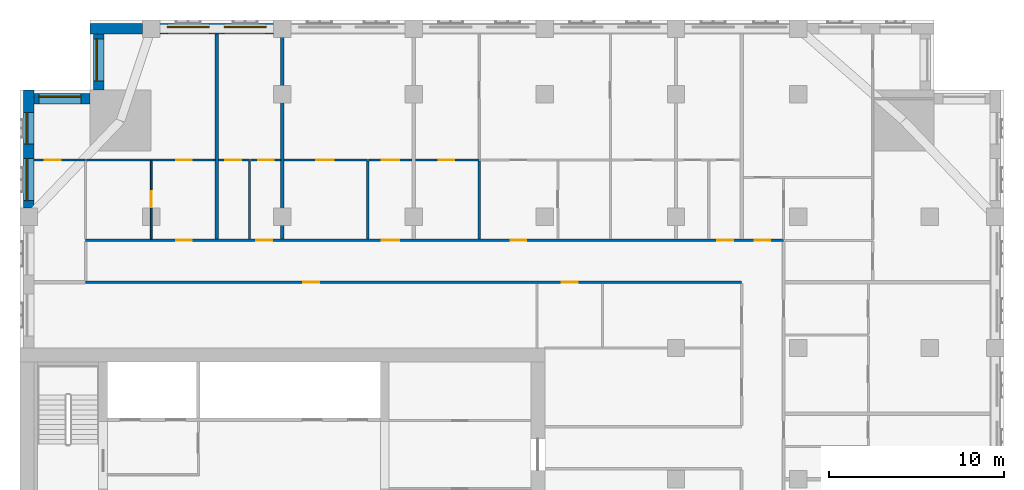
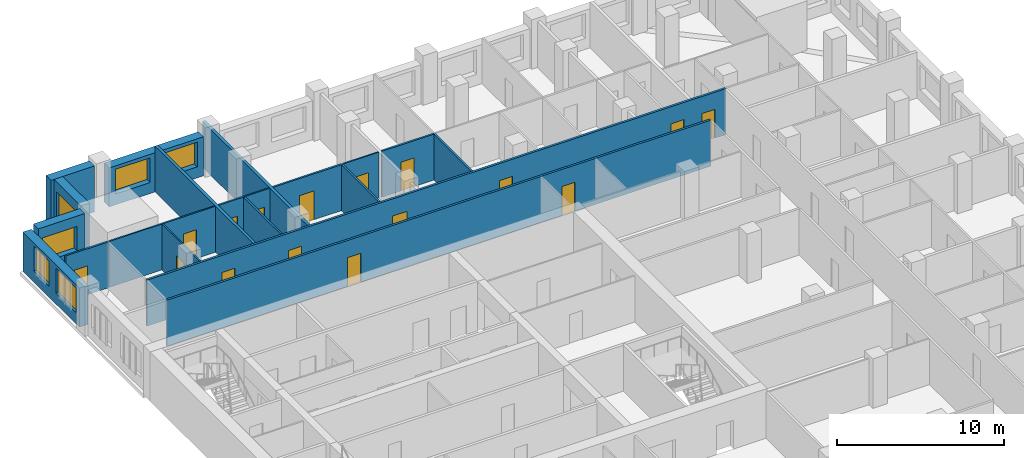
# One storey, part 9 of 14: 20 walls, 16 doors, 6 windows, 22 openings.
"""IFC4 building model written with IfcOpenShell, lengths in metres."""

from ifc_helpers import new_model, si_unit, direction, frame, frame_2d, origin, place, context, subcontext, project, spatial, rectangle, extrude, material, layer, layer_set, type_object, element, fill, save


model = new_model("IFC4")

# Units and contexts
model_context = context("Model", 3, precision=1e-05, world=origin(), true_north=direction((0.0, 1.0)))
body_context = subcontext(model_context, "Body", "Model", "MODEL_VIEW")
ifc_project = project(units=[si_unit("LENGTHUNIT", "METRE"), si_unit("AREAUNIT", "SQUARE_METRE"), si_unit("VOLUMEUNIT", "CUBIC_METRE"), si_unit("PLANEANGLEUNIT", "RADIAN"), si_unit("MASSUNIT", "GRAM", prefix="KILO")], contexts=[model_context])

# Site, building, storey
site_placement = place(None, origin())
site = spatial("IfcSite", under=ifc_project, at=site_placement, CompositionType="ELEMENT")
building_placement = place(site_placement, origin())
building = spatial("IfcBuilding", under=site, at=building_placement, Name="Tamorin Gate", CompositionType="ELEMENT")
storey_placement = place(building_placement, frame((0.0, 0.0, 155.39990234375)))
storey = spatial("IfcBuildingStorey", under=building, at=storey_placement, Name="L38", CompositionType="ELEMENT", Elevation=155.39990234375)

# Wall, openings, windows
ifc_material_1 = material(Name="Precast concrete C40/50", Category="concrete")
ifc_layer_1 = layer(ifc_material_1, 0.60009765625)
ifc_layer_set_1 = layer_set([ifc_layer_1], Name="Precast concrete C40/50")
wall_type_1 = type_object("IfcWallType", Name="Board-marked concrete facade panel 600", PredefinedType="SOLIDWALL", material=ifc_layer_set_1)
wall_1_placement = place(storey_placement, frame((44.5, 100.75, 0.0), z_axis=(0.0, 0.0, 1.0), x_axis=(-1.0, 0.0, 0.0)))
wall_1 = element("IfcWall", 1, at=wall_1_placement, inside=storey, type_object=wall_type_1, Name="Facade panel", PredefinedType="SOLIDWALL", context=body_context, shape_type="SweptSolid", body=[
    extrude(rectangle(XDim=6.5, YDim=0.60009765625, at=frame_2d((3.25, 0.0))), origin(), (0.0, 0.0, 1.0), 2.85009765625),
])
opening_1_placement = place(wall_1_placement, frame((3.675048828125, 0.0, 0.800048828125)))
opening_1 = element("IfcOpeningElement", 2, at=opening_1_placement, cuts=wall_1, Name="Opening WN1", PredefinedType="OPENING", context=body_context, shape_type="SweptSolid", body=[
    extrude(rectangle(XDim=2.39990234375, YDim=1.800048828125, at=frame_2d((1.199951171875, 0.89990234375))), frame((0.0, 0.31005859375, 0.0), z_axis=(0.0, -1.0, 0.0), x_axis=(1.0, 0.0, 0.0)), (0.0, 0.0, 1.0), 0.6201171875),
])
opening_2_placement = place(wall_1_placement, frame((0.425048828125, 0.0, 0.800048828125)))
opening_2 = element("IfcOpeningElement", 3, at=opening_2_placement, cuts=wall_1, Name="Opening WN1", PredefinedType="OPENING", context=body_context, shape_type="SweptSolid", body=[
    extrude(rectangle(XDim=2.39990234375, YDim=1.800048828125, at=frame_2d((1.199951171875, 0.89990234375))), frame((0.0, 0.31005859375, 0.0), z_axis=(0.0, -1.0, 0.0), x_axis=(1.0, 0.0, 0.0)), (0.0, 0.0, 1.0), 0.6201171875),
])
ifc_material_2 = material(Name="Clear glass in aluminium frame", Category="aluminium")
window_type_1 = type_object("IfcWindowType", Name="Deep-set window 2400x1800", PartitioningType="SINGLE_PANEL", PredefinedType="WINDOW", material=ifc_material_2)
window_1_placement = place(opening_1_placement, origin())
window_1 = element("IfcWindow", 4, at=window_1_placement, inside=storey, type_object=window_type_1, Name="Deep-set window", OverallHeight=1.800048828125, OverallWidth=2.39990234375, PartitioningType="SINGLE_PANEL", PredefinedType="WINDOW", context=body_context, shape_type="SweptSolid", body=[
    extrude(rectangle(XDim=2.39990234375, YDim=1.800048828125, at=frame_2d((1.199951171875, 0.89990234375))), frame((0.0, -0.070068359375, 0.0), z_axis=(0.0, -1.0, 0.0), x_axis=(1.0, 0.0, 0.0)), (0.0, 0.0, 1.0), 0.06005859375),
])
fill(opening_1, window_1)
window_2_placement = place(opening_2_placement, origin())
window_2 = element("IfcWindow", 5, at=window_2_placement, inside=storey, type_object=window_type_1, Name="Deep-set window", OverallHeight=1.800048828125, OverallWidth=2.39990234375, PartitioningType="SINGLE_PANEL", PredefinedType="WINDOW", context=body_context, shape_type="SweptSolid", body=[
    extrude(rectangle(XDim=2.39990234375, YDim=1.800048828125, at=frame_2d((1.199951171875, 0.89990234375))), frame((0.0, -0.070068359375, 0.0), z_axis=(0.0, -1.0, 0.0), x_axis=(1.0, 0.0, 0.0)), (0.0, 0.0, 1.0), 0.06005859375),
])
fill(opening_2, window_2)

# Wall
wall_2_placement = place(storey_placement, frame((37.0, 100.75, 0.0), z_axis=(0.0, 0.0, 1.0), x_axis=(-1.0, 0.0, 0.0)))
element("IfcWall", 6, at=wall_2_placement, inside=storey, type_object=wall_type_1, Name="Facade panel", PredefinedType="SOLIDWALL", context=body_context, shape_type="SweptSolid", body=[
    extrude(rectangle(XDim=3.0, YDim=0.60009765625, at=frame_2d((1.5, 0.0))), origin(), (0.0, 0.0, 1.0), 3.35009765625),
])

# Wall, opening, window
wall_3_placement = place(storey_placement, frame((34.5, 100.449951171875, 0.0), z_axis=(0.0, 0.0, 1.0), x_axis=(0.0, -1.0, 0.0)))
wall_3 = element("IfcWall", 7, at=wall_3_placement, inside=storey, type_object=wall_type_1, Name="Facade panel", PredefinedType="SOLIDWALL", context=body_context, shape_type="SweptSolid", body=[
    extrude(rectangle(XDim=3.199951171875, YDim=0.60009765625, at=frame_2d((1.60009765625, 0.0))), origin(), (0.0, 0.0, 1.0), 3.35009765625),
])
opening_3_placement = place(wall_3_placement, frame((0.27490234375, 0.0, 0.800048828125)))
opening_3 = element("IfcOpeningElement", 8, at=opening_3_placement, cuts=wall_3, Name="Opening WN1", PredefinedType="OPENING", context=body_context, shape_type="SweptSolid", body=[
    extrude(rectangle(XDim=2.39990234375, YDim=1.800048828125, at=frame_2d((1.199951171875, 0.89990234375))), frame((0.0, 0.31005859375, 0.0), z_axis=(0.0, -1.0, 0.0), x_axis=(1.0, 0.0, 0.0)), (0.0, 0.0, 1.0), 0.6201171875),
])
window_3_placement = place(opening_3_placement, origin())
window_3 = element("IfcWindow", 9, at=window_3_placement, inside=storey, type_object=window_type_1, Name="Deep-set window", OverallHeight=1.800048828125, OverallWidth=2.39990234375, PartitioningType="SINGLE_PANEL", PredefinedType="WINDOW", context=body_context, shape_type="SweptSolid", body=[
    extrude(rectangle(XDim=2.39990234375, YDim=1.800048828125, at=frame_2d((1.199951171875, 0.89990234375))), frame((0.0, -0.070068359375, 0.0), z_axis=(0.0, -1.0, 0.0), x_axis=(1.0, 0.0, 0.0)), (0.0, 0.0, 1.0), 0.06005859375),
])
fill(opening_3, window_3)

wall_4_placement = place(storey_placement, frame((34.0, 96.75, 0.0), z_axis=(0.0, 0.0, 1.0), x_axis=(-1.0, 0.0, 0.0)))
wall_4 = element("IfcWall", 10, at=wall_4_placement, inside=storey, type_object=wall_type_1, Name="Facade panel", PredefinedType="SOLIDWALL", context=body_context, shape_type="SweptSolid", body=[
    extrude(rectangle(XDim=3.199951171875, YDim=0.60009765625, at=frame_2d((1.60009765625, 0.0))), origin(), (0.0, 0.0, 1.0), 3.35009765625),
])
opening_4_placement = place(wall_4_placement, frame((0.52490234375, 0.0, 0.800048828125)))
opening_4 = element("IfcOpeningElement", 11, at=opening_4_placement, cuts=wall_4, Name="Opening WN1", PredefinedType="OPENING", context=body_context, shape_type="SweptSolid", body=[
    extrude(rectangle(XDim=2.39990234375, YDim=1.800048828125, at=frame_2d((1.199951171875, 0.89990234375))), frame((0.0, 0.31005859375, 0.0), z_axis=(0.0, -1.0, 0.0), x_axis=(1.0, 0.0, 0.0)), (0.0, 0.0, 1.0), 0.6201171875),
])
window_4_placement = place(opening_4_placement, origin())
window_4 = element("IfcWindow", 12, at=window_4_placement, inside=storey, type_object=window_type_1, Name="Deep-set window", OverallHeight=1.800048828125, OverallWidth=2.39990234375, PartitioningType="SINGLE_PANEL", PredefinedType="WINDOW", context=body_context, shape_type="SweptSolid", body=[
    extrude(rectangle(XDim=2.39990234375, YDim=1.800048828125, at=frame_2d((1.199951171875, 0.89990234375))), frame((0.0, -0.070068359375, 0.0), z_axis=(0.0, -1.0, 0.0), x_axis=(1.0, 0.0, 0.0)), (0.0, 0.0, 1.0), 0.06005859375),
])
fill(opening_4, window_4)

# Wall, openings, windows
wall_5_placement = place(storey_placement, frame((30.5, 97.25, 0.0), z_axis=(0.0, 0.0, 1.0), x_axis=(0.0, -1.0, 0.0)))
wall_5 = element("IfcWall", 13, at=wall_5_placement, inside=storey, type_object=wall_type_1, Name="Facade panel", PredefinedType="SOLIDWALL", context=body_context, shape_type="SweptSolid", body=[
    extrude(rectangle(XDim=6.75, YDim=0.60009765625, at=frame_2d((3.375, 0.0))), origin(), (0.0, 0.0, 1.0), 2.85009765625),
])
opening_5_placement = place(wall_5_placement, frame((3.925048828125, 0.0, 0.800048828125)))
opening_5 = element("IfcOpeningElement", 14, at=opening_5_placement, cuts=wall_5, Name="Opening WN1", PredefinedType="OPENING", context=body_context, shape_type="SweptSolid", body=[
    extrude(rectangle(XDim=2.39990234375, YDim=1.800048828125, at=frame_2d((1.199951171875, 0.89990234375))), frame((0.0, 0.31005859375, 0.0), z_axis=(0.0, -1.0, 0.0), x_axis=(1.0, 0.0, 0.0)), (0.0, 0.0, 1.0), 0.6201171875),
])
opening_6_placement = place(wall_5_placement, frame((1.300048828125, 0.0, 0.800048828125)))
opening_6 = element("IfcOpeningElement", 15, at=opening_6_placement, cuts=wall_5, Name="Opening WN2", PredefinedType="OPENING", context=body_context, shape_type="SweptSolid", body=[
    extrude(rectangle(XDim=1.800048828125, YDim=1.800048828125, at=frame_2d((0.89990234375, 0.89990234375))), frame((0.0, 0.31005859375, 0.0), z_axis=(0.0, -1.0, 0.0), x_axis=(1.0, 0.0, 0.0)), (0.0, 0.0, 1.0), 0.6201171875),
])
window_type_2 = type_object("IfcWindowType", Name="Deep-set window 1800x1800", PartitioningType="SINGLE_PANEL", PredefinedType="WINDOW", material=ifc_material_2)
window_5_placement = place(opening_6_placement, origin())
window_5 = element("IfcWindow", 16, at=window_5_placement, inside=storey, type_object=window_type_2, Name="Deep-set window", OverallHeight=1.800048828125, OverallWidth=1.800048828125, PartitioningType="SINGLE_PANEL", PredefinedType="WINDOW", context=body_context, shape_type="SweptSolid", body=[
    extrude(rectangle(XDim=1.800048828125, YDim=1.800048828125, at=frame_2d((0.89990234375, 0.89990234375))), frame((0.0, -0.070068359375, 0.0), z_axis=(0.0, -1.0, 0.0), x_axis=(1.0, 0.0, 0.0)), (0.0, 0.0, 1.0), 0.06005859375),
])
fill(opening_6, window_5)
window_6_placement = place(opening_5_placement, origin())
window_6 = element("IfcWindow", 17, at=window_6_placement, inside=storey, type_object=window_type_1, Name="Deep-set window", OverallHeight=1.800048828125, OverallWidth=2.39990234375, PartitioningType="SINGLE_PANEL", PredefinedType="WINDOW", context=body_context, shape_type="SweptSolid", body=[
    extrude(rectangle(XDim=2.39990234375, YDim=1.800048828125, at=frame_2d((1.199951171875, 0.89990234375))), frame((0.0, -0.070068359375, 0.0), z_axis=(0.0, -1.0, 0.0), x_axis=(1.0, 0.0, 0.0)), (0.0, 0.0, 1.0), 0.06005859375),
])
fill(opening_5, window_6)

# Wall, openings, doors
ifc_material_3 = material(Name="Gypsum board partition")
ifc_layer_2 = layer(ifc_material_3, 0.14990234375)
ifc_layer_set_2 = layer_set([ifc_layer_2], Name="Corridor wall 150")
wall_type_2 = type_object("IfcWallType", Name="Corridor wall 150", PredefinedType="PARTITIONING", material=ifc_layer_set_2)
wall_6_placement = place(storey_placement, frame((33.75, 86.25, 0.0), z_axis=(0.0, 0.0, 1.0), x_axis=(1.0, 0.0, 0.0)))
wall_6 = element("IfcWall", 18, at=wall_6_placement, inside=storey, type_object=wall_type_2, Name="Corridor wall 150", PredefinedType="PARTITIONING", context=body_context, shape_type="SweptSolid", body=[
    extrude(rectangle(XDim=37.5, YDim=0.14990234375, at=frame_2d((18.75, 0.0))), origin(), (0.0, 0.0, 1.0), 3.35009765625),
])
opening_7_placement = place(wall_6_placement, frame((12.449951171875, 0.0, 0.0)))
opening_7 = element("IfcOpeningElement", 19, at=opening_7_placement, cuts=wall_6, Name="Opening DS4075", PredefinedType="OPENING", context=body_context, shape_type="SweptSolid", body=[
    extrude(rectangle(XDim=0.89990234375, YDim=2.10009765625, at=frame_2d((0.449951171875, 1.050048828125))), frame((0.0, 0.0849609375, 0.0), z_axis=(0.0, -1.0, 0.0), x_axis=(1.0, 0.0, 0.0)), (0.0, 0.0, 1.0), 0.169921875),
])
opening_8_placement = place(wall_6_placement, frame((27.22509765625, 0.0, 0.0)))
opening_8 = element("IfcOpeningElement", 20, at=opening_8_placement, cuts=wall_6, Name="Opening DS4076", PredefinedType="OPENING", context=body_context, shape_type="SweptSolid", body=[
    extrude(rectangle(XDim=0.89990234375, YDim=2.10009765625, at=frame_2d((0.449951171875, 1.050048828125))), frame((0.0, 0.0849609375, 0.0), z_axis=(0.0, -1.0, 0.0), x_axis=(1.0, 0.0, 0.0)), (0.0, 0.0, 1.0), 0.169921875),
])
ifc_material_4 = material(Name="Timber door leaf", Category="wood")
door_type_1 = type_object("IfcDoorType", Name="Door 900 x 2100 FD30S", OperationType="NOTDEFINED", PredefinedType="DOOR", material=ifc_material_4)
door_1_placement = place(opening_7_placement, origin())
door_1 = element("IfcDoor", 21, at=door_1_placement, inside=storey, type_object=door_type_1, Name="Door DS4075", OperationType="SINGLE_SWING_RIGHT", OverallHeight=2.10009765625, OverallWidth=0.89990234375, PredefinedType="DOOR", context=body_context, shape_type="SweptSolid", body=[
    extrude(rectangle(XDim=0.89990234375, YDim=2.10009765625, at=frame_2d((0.449951171875, 1.050048828125))), frame((0.0, 0.02490234375, 0.0), z_axis=(0.0, -1.0, 0.0), x_axis=(1.0, 0.0, 0.0)), (0.0, 0.0, 1.0), 0.050048828125),
])
fill(opening_7, door_1)
door_2_placement = place(opening_8_placement, origin())
door_2 = element("IfcDoor", 22, at=door_2_placement, inside=storey, type_object=door_type_1, Name="Door DS4076", OperationType="SINGLE_SWING_RIGHT", OverallHeight=2.10009765625, OverallWidth=0.89990234375, PredefinedType="DOOR", context=body_context, shape_type="SweptSolid", body=[
    extrude(rectangle(XDim=0.89990234375, YDim=2.10009765625, at=frame_2d((0.449951171875, 1.050048828125))), frame((0.0, 0.02490234375, 0.0), z_axis=(0.0, -1.0, 0.0), x_axis=(1.0, 0.0, 0.0)), (0.0, 0.0, 1.0), 0.050048828125),
])
fill(opening_8, door_2)

wall_7_placement = place(storey_placement, frame((33.75, 88.64990234375, 0.0), z_axis=(0.0, 0.0, 1.0), x_axis=(1.0, 0.0, 0.0)))
wall_7 = element("IfcWall", 23, at=wall_7_placement, inside=storey, type_object=wall_type_2, Name="Corridor wall 150", PredefinedType="PARTITIONING", context=body_context, shape_type="SweptSolid", body=[
    extrude(rectangle(XDim=39.89990234375, YDim=0.14990234375, at=frame_2d((19.949951171875, 0.0))), origin(), (0.0, 0.0, 1.0), 3.35009765625),
])
opening_9_placement = place(wall_7_placement, frame((5.175048828125, 0.0, 0.0)))
opening_9 = element("IfcOpeningElement", 24, at=opening_9_placement, cuts=wall_7, Name="Opening DS4025", PredefinedType="OPENING", context=body_context, shape_type="SweptSolid", body=[
    extrude(rectangle(XDim=0.89990234375, YDim=2.10009765625, at=frame_2d((0.449951171875, 1.050048828125))), frame((0.0, 0.0849609375, 0.0), z_axis=(0.0, -1.0, 0.0), x_axis=(1.0, 0.0, 0.0)), (0.0, 0.0, 1.0), 0.169921875),
])
opening_10_placement = place(wall_7_placement, frame((9.762451171875, 0.0, 0.0)))
opening_10 = element("IfcOpeningElement", 25, at=opening_10_placement, cuts=wall_7, Name="Opening DS4028", PredefinedType="OPENING", context=body_context, shape_type="SweptSolid", body=[
    extrude(rectangle(XDim=0.89990234375, YDim=2.10009765625, at=frame_2d((0.449951171875, 1.050048828125))), frame((0.0, 0.0849609375, 0.0), z_axis=(0.0, -1.0, 0.0), x_axis=(1.0, 0.0, 0.0)), (0.0, 0.0, 1.0), 0.169921875),
])
opening_11_placement = place(wall_7_placement, frame((16.9375, 0.0, 0.0)))
opening_11 = element("IfcOpeningElement", 26, at=opening_11_placement, cuts=wall_7, Name="Opening DS4031", PredefinedType="OPENING", context=body_context, shape_type="SweptSolid", body=[
    extrude(rectangle(XDim=1.0, YDim=2.10009765625, at=frame_2d((0.5, 1.050048828125))), frame((0.0, 0.0849609375, 0.0), z_axis=(0.0, -1.0, 0.0), x_axis=(1.0, 0.0, 0.0)), (0.0, 0.0, 1.0), 0.169921875),
])
opening_12_placement = place(wall_7_placement, frame((24.300048828125, 0.0, 0.0)))
opening_12 = element("IfcOpeningElement", 27, at=opening_12_placement, cuts=wall_7, Name="Opening DS4034", PredefinedType="OPENING", context=body_context, shape_type="SweptSolid", body=[
    extrude(rectangle(XDim=0.89990234375, YDim=2.10009765625, at=frame_2d((0.449951171875, 1.050048828125))), frame((0.0, 0.0849609375, 0.0), z_axis=(0.0, -1.0, 0.0), x_axis=(1.0, 0.0, 0.0)), (0.0, 0.0, 1.0), 0.169921875),
])
opening_13_placement = place(wall_7_placement, frame((36.112548828125, 0.0, 0.0)))
opening_13 = element("IfcOpeningElement", 28, at=opening_13_placement, cuts=wall_7, Name="Opening DS4041", PredefinedType="OPENING", context=body_context, shape_type="SweptSolid", body=[
    extrude(rectangle(XDim=0.89990234375, YDim=2.10009765625, at=frame_2d((0.449951171875, 1.050048828125))), frame((0.0, 0.0849609375, 0.0), z_axis=(0.0, -1.0, 0.0), x_axis=(1.0, 0.0, 0.0)), (0.0, 0.0, 1.0), 0.169921875),
])
opening_14_placement = place(wall_7_placement, frame((38.25, 0.0, 0.0)))
opening_14 = element("IfcOpeningElement", 29, at=opening_14_placement, cuts=wall_7, Name="Opening DS4065", PredefinedType="OPENING", context=body_context, shape_type="SweptSolid", body=[
    extrude(rectangle(XDim=0.89990234375, YDim=2.10009765625, at=frame_2d((0.449951171875, 1.050048828125))), frame((0.0, 0.0849609375, 0.0), z_axis=(0.0, -1.0, 0.0), x_axis=(1.0, 0.0, 0.0)), (0.0, 0.0, 1.0), 0.169921875),
])
door_type_2 = type_object("IfcDoorType", Name="Door 1000 x 2100 FD30S", OperationType="NOTDEFINED", PredefinedType="DOOR", material=ifc_material_4)
door_3_placement = place(opening_11_placement, origin())
door_3 = element("IfcDoor", 30, at=door_3_placement, inside=storey, type_object=door_type_2, Name="Door DS4031", OperationType="SINGLE_SWING_LEFT", OverallHeight=2.10009765625, OverallWidth=1.0, PredefinedType="DOOR", context=body_context, shape_type="SweptSolid", body=[
    extrude(rectangle(XDim=1.0, YDim=2.10009765625, at=frame_2d((0.5, 1.050048828125))), frame((0.0, 0.02490234375, 0.0), z_axis=(0.0, -1.0, 0.0), x_axis=(1.0, 0.0, 0.0)), (0.0, 0.0, 1.0), 0.050048828125),
])
fill(opening_11, door_3)
door_4_placement = place(opening_9_placement, origin())
door_4 = element("IfcDoor", 31, at=door_4_placement, inside=storey, type_object=door_type_1, Name="Door DS4025", OperationType="SINGLE_SWING_LEFT", OverallHeight=2.10009765625, OverallWidth=0.89990234375, PredefinedType="DOOR", context=body_context, shape_type="SweptSolid", body=[
    extrude(rectangle(XDim=0.89990234375, YDim=2.10009765625, at=frame_2d((0.449951171875, 1.050048828125))), frame((0.0, 0.02490234375, 0.0), z_axis=(0.0, -1.0, 0.0), x_axis=(1.0, 0.0, 0.0)), (0.0, 0.0, 1.0), 0.050048828125),
])
fill(opening_9, door_4)
door_5_placement = place(opening_10_placement, origin())
door_5 = element("IfcDoor", 32, at=door_5_placement, inside=storey, type_object=door_type_1, Name="Door DS4028", OperationType="SINGLE_SWING_LEFT", OverallHeight=2.10009765625, OverallWidth=0.89990234375, PredefinedType="DOOR", context=body_context, shape_type="SweptSolid", body=[
    extrude(rectangle(XDim=0.89990234375, YDim=2.10009765625, at=frame_2d((0.449951171875, 1.050048828125))), frame((0.0, 0.02490234375, 0.0), z_axis=(0.0, -1.0, 0.0), x_axis=(1.0, 0.0, 0.0)), (0.0, 0.0, 1.0), 0.050048828125),
])
fill(opening_10, door_5)
door_6_placement = place(opening_12_placement, origin())
door_6 = element("IfcDoor", 33, at=door_6_placement, inside=storey, type_object=door_type_1, Name="Door DS4034", OperationType="SINGLE_SWING_LEFT", OverallHeight=2.10009765625, OverallWidth=0.89990234375, PredefinedType="DOOR", context=body_context, shape_type="SweptSolid", body=[
    extrude(rectangle(XDim=0.89990234375, YDim=2.10009765625, at=frame_2d((0.449951171875, 1.050048828125))), frame((0.0, 0.02490234375, 0.0), z_axis=(0.0, -1.0, 0.0), x_axis=(1.0, 0.0, 0.0)), (0.0, 0.0, 1.0), 0.050048828125),
])
fill(opening_12, door_6)
door_7_placement = place(opening_13_placement, origin())
door_7 = element("IfcDoor", 34, at=door_7_placement, inside=storey, type_object=door_type_1, Name="Door DS4041", OperationType="SINGLE_SWING_LEFT", OverallHeight=2.10009765625, OverallWidth=0.89990234375, PredefinedType="DOOR", context=body_context, shape_type="SweptSolid", body=[
    extrude(rectangle(XDim=0.89990234375, YDim=2.10009765625, at=frame_2d((0.449951171875, 1.050048828125))), frame((0.0, 0.02490234375, 0.0), z_axis=(0.0, -1.0, 0.0), x_axis=(1.0, 0.0, 0.0)), (0.0, 0.0, 1.0), 0.050048828125),
])
fill(opening_13, door_7)
door_8_placement = place(opening_14_placement, origin())
door_8 = element("IfcDoor", 35, at=door_8_placement, inside=storey, type_object=door_type_1, Name="Door DS4065", OperationType="SINGLE_SWING_RIGHT", OverallHeight=2.10009765625, OverallWidth=0.89990234375, PredefinedType="DOOR", context=body_context, shape_type="SweptSolid", body=[
    extrude(rectangle(XDim=0.89990234375, YDim=2.10009765625, at=frame_2d((0.449951171875, 1.050048828125))), frame((0.0, 0.02490234375, 0.0), z_axis=(0.0, -1.0, 0.0), x_axis=(1.0, 0.0, 0.0)), (0.0, 0.0, 1.0), 0.050048828125),
])
fill(opening_14, door_8)

# Walls
ifc_layer_3 = layer(ifc_material_3, 0.199951171875)
ifc_layer_set_3 = layer_set([ifc_layer_3], Name="Demising wall 200")
wall_type_3 = type_object("IfcWallType", Name="Demising wall 200", PredefinedType="PARTITIONING", material=ifc_layer_set_3)
wall_8_placement = place(storey_placement, frame((41.25, 88.72509765625, 0.0), z_axis=(0.0, 0.0, 1.0), x_axis=(0.0, 1.0, 0.0)))
element("IfcWall", 36, at=wall_8_placement, inside=storey, type_object=wall_type_3, Name="Demising wall 200", PredefinedType="PARTITIONING", context=body_context, shape_type="SweptSolid", body=[
    extrude(rectangle(XDim=11.71484375, YDim=0.199951171875, at=frame_2d((5.857421875, 0.0))), origin(), (0.0, 0.0, 1.0), 3.35009765625),
])
wall_9_placement = place(storey_placement, frame((45.0, 88.72509765625, 0.0), z_axis=(0.0, 0.0, 1.0), x_axis=(0.0, 1.0, 0.0)))
element("IfcWall", 37, at=wall_9_placement, inside=storey, type_object=wall_type_3, Name="Demising wall 200", PredefinedType="PARTITIONING", context=body_context, shape_type="SweptSolid", body=[
    extrude(rectangle(XDim=12.52490234375, YDim=0.199951171875, at=frame_2d((6.262451171875, 0.0))), origin(), (0.0, 0.0, 1.0), 3.35009765625),
])

# Wall, opening, door
ifc_layer_4 = layer(ifc_material_3, 0.10009765625)
ifc_layer_set_4 = layer_set([ifc_layer_4], Name="Room partition 100")
wall_type_4 = type_object("IfcWallType", Name="Room partition 100", PredefinedType="PARTITIONING", material=ifc_layer_set_4)
wall_10_placement = place(storey_placement, frame((33.8125, 93.25, 0.0), z_axis=(0.0, 0.0, 1.0), x_axis=(1.0, 0.0, 0.0)))
wall_10 = element("IfcWall", 38, at=wall_10_placement, inside=storey, type_object=wall_type_4, Name="Room partition 100", PredefinedType="PARTITIONING", context=body_context, shape_type="SweptSolid", body=[
    extrude(rectangle(XDim=7.33740234375, YDim=0.10009765625, at=frame_2d((3.668701171875, 0.0))), origin(), (0.0, 0.0, 1.0), 3.35009765625),
])
opening_15_placement = place(wall_10_placement, frame((5.112548828125, 0.0, 0.0)))
opening_15 = element("IfcOpeningElement", 39, at=opening_15_placement, cuts=wall_10, Name="Opening DS4026", PredefinedType="OPENING", context=body_context, shape_type="SweptSolid", body=[
    extrude(rectangle(XDim=0.89990234375, YDim=2.10009765625, at=frame_2d((0.449951171875, 1.050048828125))), frame((0.0, 0.06005859375, 0.0), z_axis=(0.0, -1.0, 0.0), x_axis=(1.0, 0.0, 0.0)), (0.0, 0.0, 1.0), 0.1201171875),
])
door_type_3 = type_object("IfcDoorType", Name="Door 900 x 2100", OperationType="NOTDEFINED", PredefinedType="DOOR", material=ifc_material_4)
door_9_placement = place(opening_15_placement, origin())
door_9 = element("IfcDoor", 40, at=door_9_placement, inside=storey, type_object=door_type_3, Name="Door DS4026", OperationType="SINGLE_SWING_RIGHT", OverallHeight=2.10009765625, OverallWidth=0.89990234375, PredefinedType="DOOR", context=body_context, shape_type="SweptSolid", body=[
    extrude(rectangle(XDim=0.89990234375, YDim=2.10009765625, at=frame_2d((0.449951171875, 1.050048828125))), frame((0.0, 0.02490234375, 0.0), z_axis=(0.0, -1.0, 0.0), x_axis=(1.0, 0.0, 0.0)), (0.0, 0.0, 1.0), 0.050048828125),
])
fill(opening_15, door_9)

wall_11_placement = place(storey_placement, frame((43.1875, 93.25, 0.0), z_axis=(0.0, 0.0, 1.0), x_axis=(1.0, 0.0, 0.0)))
wall_11 = element("IfcWall", 41, at=wall_11_placement, inside=storey, type_object=wall_type_4, Name="Room partition 100", PredefinedType="PARTITIONING", context=body_context, shape_type="SweptSolid", body=[
    extrude(rectangle(XDim=1.71240234375, YDim=0.10009765625, at=frame_2d((0.856201171875, 0.0))), origin(), (0.0, 0.0, 1.0), 3.35009765625),
])
opening_16_placement = place(wall_11_placement, frame((0.425048828125, 0.0, 0.0)))
opening_16 = element("IfcOpeningElement", 42, at=opening_16_placement, cuts=wall_11, Name="Opening DS4029", PredefinedType="OPENING", context=body_context, shape_type="SweptSolid", body=[
    extrude(rectangle(XDim=0.89990234375, YDim=2.10009765625, at=frame_2d((0.449951171875, 1.050048828125))), frame((0.0, 0.06005859375, 0.0), z_axis=(0.0, -1.0, 0.0), x_axis=(1.0, 0.0, 0.0)), (0.0, 0.0, 1.0), 0.1201171875),
])
door_10_placement = place(opening_16_placement, origin())
door_10 = element("IfcDoor", 43, at=door_10_placement, inside=storey, type_object=door_type_3, Name="Door DS4029", OperationType="SINGLE_SWING_RIGHT", OverallHeight=2.10009765625, OverallWidth=0.89990234375, PredefinedType="DOOR", context=body_context, shape_type="SweptSolid", body=[
    extrude(rectangle(XDim=0.89990234375, YDim=2.10009765625, at=frame_2d((0.449951171875, 1.050048828125))), frame((0.0, 0.02490234375, 0.0), z_axis=(0.0, -1.0, 0.0), x_axis=(1.0, 0.0, 0.0)), (0.0, 0.0, 1.0), 0.050048828125),
])
fill(opening_16, door_10)

wall_12_placement = place(storey_placement, frame((49.9375, 93.25, 0.0), z_axis=(0.0, 0.0, 1.0), x_axis=(1.0, 0.0, 0.0)))
wall_12 = element("IfcWall", 44, at=wall_12_placement, inside=storey, type_object=wall_type_4, Name="Room partition 100", PredefinedType="PARTITIONING", context=body_context, shape_type="SweptSolid", body=[
    extrude(rectangle(XDim=2.46240234375, YDim=0.10009765625, at=frame_2d((1.231201171875, 0.0))), origin(), (0.0, 0.0, 1.0), 3.35009765625),
])
opening_17_placement = place(wall_12_placement, frame((0.75, 0.0, 0.0)))
opening_17 = element("IfcOpeningElement", 45, at=opening_17_placement, cuts=wall_12, Name="Opening DS4032", PredefinedType="OPENING", context=body_context, shape_type="SweptSolid", body=[
    extrude(rectangle(XDim=1.0, YDim=2.10009765625, at=frame_2d((0.5, 1.050048828125))), frame((0.0, 0.06005859375, 0.0), z_axis=(0.0, -1.0, 0.0), x_axis=(1.0, 0.0, 0.0)), (0.0, 0.0, 1.0), 0.1201171875),
])
door_type_4 = type_object("IfcDoorType", Name="Door 1000 x 2100", OperationType="NOTDEFINED", PredefinedType="DOOR", material=ifc_material_4)
door_11_placement = place(opening_17_placement, origin())
door_11 = element("IfcDoor", 46, at=door_11_placement, inside=storey, type_object=door_type_4, Name="Door DS4032", OperationType="SINGLE_SWING_RIGHT", OverallHeight=2.10009765625, OverallWidth=1.0, PredefinedType="DOOR", context=body_context, shape_type="SweptSolid", body=[
    extrude(rectangle(XDim=1.0, YDim=2.10009765625, at=frame_2d((0.5, 1.050048828125))), frame((0.0, 0.02490234375, 0.0), z_axis=(0.0, -1.0, 0.0), x_axis=(1.0, 0.0, 0.0)), (0.0, 0.0, 1.0), 0.050048828125),
])
fill(opening_17, door_11)

wall_13_placement = place(storey_placement, frame((37.5, 88.72509765625, 0.0), z_axis=(0.0, 0.0, 1.0), x_axis=(0.0, 1.0, 0.0)))
wall_13 = element("IfcWall", 47, at=wall_13_placement, inside=storey, type_object=wall_type_4, Name="Room partition 100", PredefinedType="PARTITIONING", context=body_context, shape_type="SweptSolid", body=[
    extrude(rectangle(XDim=4.474853515625, YDim=0.10009765625, at=frame_2d((2.2373046875, 0.0))), origin(), (0.0, 0.0, 1.0), 3.35009765625),
])
opening_18_placement = place(wall_13_placement, frame((1.824951171875, 0.0, 0.0)))
opening_18 = element("IfcOpeningElement", 48, at=opening_18_placement, cuts=wall_13, Name="Opening DS4024", PredefinedType="OPENING", context=body_context, shape_type="SweptSolid", body=[
    extrude(rectangle(XDim=0.89990234375, YDim=2.10009765625, at=frame_2d((0.449951171875, 1.050048828125))), frame((0.0, 0.06005859375, 0.0), z_axis=(0.0, -1.0, 0.0), x_axis=(1.0, 0.0, 0.0)), (0.0, 0.0, 1.0), 0.1201171875),
])
door_12_placement = place(opening_18_placement, origin())
door_12 = element("IfcDoor", 49, at=door_12_placement, inside=storey, type_object=door_type_3, Name="Door DS4024", OperationType="SINGLE_SWING_RIGHT", OverallHeight=2.10009765625, OverallWidth=0.89990234375, PredefinedType="DOOR", context=body_context, shape_type="SweptSolid", body=[
    extrude(rectangle(XDim=0.89990234375, YDim=2.10009765625, at=frame_2d((0.449951171875, 1.050048828125))), frame((0.0, 0.02490234375, 0.0), z_axis=(0.0, -1.0, 0.0), x_axis=(1.0, 0.0, 0.0)), (0.0, 0.0, 1.0), 0.050048828125),
])
fill(opening_18, door_12)

ifc_layer_5 = layer(ifc_material_3, 0.125)
ifc_layer_set_5 = layer_set([ifc_layer_5], Name="Wet wall 125")
wall_type_5 = type_object("IfcWallType", Name="Wet wall 125", PredefinedType="PARTITIONING", material=ifc_layer_set_5)
wall_14_placement = place(storey_placement, frame((30.81005859375, 93.25, 0.0), z_axis=(0.0, 0.0, 1.0), x_axis=(1.0, 0.0, 0.0)))
wall_14 = element("IfcWall", 50, at=wall_14_placement, inside=storey, type_object=wall_type_5, Name="Wet wall 125", PredefinedType="PARTITIONING", context=body_context, shape_type="SweptSolid", body=[
    extrude(rectangle(XDim=2.93994140625, YDim=0.125, at=frame_2d((1.469970703125, 0.0))), origin(), (0.0, 0.0, 1.0), 3.35009765625),
])
opening_19_placement = place(wall_14_placement, frame((0.614990234375, 0.0, 0.0)))
opening_19 = element("IfcOpeningElement", 51, at=opening_19_placement, cuts=wall_14, Name="Opening DS4023", PredefinedType="OPENING", context=body_context, shape_type="SweptSolid", body=[
    extrude(rectangle(XDim=0.89990234375, YDim=2.10009765625, at=frame_2d((0.449951171875, 1.050048828125))), frame((0.0, 0.072509765625, 0.0), z_axis=(0.0, -1.0, 0.0), x_axis=(1.0, 0.0, 0.0)), (0.0, 0.0, 1.0), 0.14501953125),
])
door_13_placement = place(opening_19_placement, origin())
door_13 = element("IfcDoor", 52, at=door_13_placement, inside=storey, type_object=door_type_3, Name="Door DS4023", OperationType="SINGLE_SWING_RIGHT", OverallHeight=2.10009765625, OverallWidth=0.89990234375, PredefinedType="DOOR", context=body_context, shape_type="SweptSolid", body=[
    extrude(rectangle(XDim=0.89990234375, YDim=2.10009765625, at=frame_2d((0.449951171875, 1.050048828125))), frame((0.0, 0.02490234375, 0.0), z_axis=(0.0, -1.0, 0.0), x_axis=(1.0, 0.0, 0.0)), (0.0, 0.0, 1.0), 0.050048828125),
])
fill(opening_19, door_13)

wall_15_placement = place(storey_placement, frame((41.35009765625, 93.25, 0.0), z_axis=(0.0, 0.0, 1.0), x_axis=(1.0, 0.0, 0.0)))
wall_15 = element("IfcWall", 53, at=wall_15_placement, inside=storey, type_object=wall_type_5, Name="Wet wall 125", PredefinedType="PARTITIONING", context=body_context, shape_type="SweptSolid", body=[
    extrude(rectangle(XDim=1.77490234375, YDim=0.125, at=frame_2d((0.887451171875, 0.0))), origin(), (0.0, 0.0, 1.0), 3.35009765625),
])
opening_20_placement = place(wall_15_placement, frame((0.387451171875, 0.0, 0.0)))
opening_20 = element("IfcOpeningElement", 54, at=opening_20_placement, cuts=wall_15, Name="Opening DS4027", PredefinedType="OPENING", context=body_context, shape_type="SweptSolid", body=[
    extrude(rectangle(XDim=0.89990234375, YDim=2.10009765625, at=frame_2d((0.449951171875, 1.050048828125))), frame((0.0, 0.072509765625, 0.0), z_axis=(0.0, -1.0, 0.0), x_axis=(1.0, 0.0, 0.0)), (0.0, 0.0, 1.0), 0.14501953125),
])
door_14_placement = place(opening_20_placement, origin())
door_14 = element("IfcDoor", 55, at=door_14_placement, inside=storey, type_object=door_type_3, Name="Door DS4027", OperationType="SINGLE_SWING_RIGHT", OverallHeight=2.10009765625, OverallWidth=0.89990234375, PredefinedType="DOOR", context=body_context, shape_type="SweptSolid", body=[
    extrude(rectangle(XDim=0.89990234375, YDim=2.10009765625, at=frame_2d((0.449951171875, 1.050048828125))), frame((0.0, 0.02490234375, 0.0), z_axis=(0.0, -1.0, 0.0), x_axis=(1.0, 0.0, 0.0)), (0.0, 0.0, 1.0), 0.050048828125),
])
fill(opening_20, door_14)

wall_16_placement = place(storey_placement, frame((45.10009765625, 93.25, 0.0), z_axis=(0.0, 0.0, 1.0), x_axis=(1.0, 0.0, 0.0)))
wall_16 = element("IfcWall", 56, at=wall_16_placement, inside=storey, type_object=wall_type_5, Name="Wet wall 125", PredefinedType="PARTITIONING", context=body_context, shape_type="SweptSolid", body=[
    extrude(rectangle(XDim=4.77490234375, YDim=0.125, at=frame_2d((2.387451171875, 0.0))), origin(), (0.0, 0.0, 1.0), 3.35009765625),
])
opening_21_placement = place(wall_16_placement, frame((1.83740234375, 0.0, 0.0)))
opening_21 = element("IfcOpeningElement", 57, at=opening_21_placement, cuts=wall_16, Name="Opening DS4030", PredefinedType="OPENING", context=body_context, shape_type="SweptSolid", body=[
    extrude(rectangle(XDim=1.0, YDim=2.10009765625, at=frame_2d((0.5, 1.050048828125))), frame((0.0, 0.072509765625, 0.0), z_axis=(0.0, -1.0, 0.0), x_axis=(1.0, 0.0, 0.0)), (0.0, 0.0, 1.0), 0.14501953125),
])
door_15_placement = place(opening_21_placement, origin())
door_15 = element("IfcDoor", 58, at=door_15_placement, inside=storey, type_object=door_type_4, Name="Door DS4030", OperationType="SINGLE_SWING_RIGHT", OverallHeight=2.10009765625, OverallWidth=1.0, PredefinedType="DOOR", context=body_context, shape_type="SweptSolid", body=[
    extrude(rectangle(XDim=1.0, YDim=2.10009765625, at=frame_2d((0.5, 1.050048828125))), frame((0.0, 0.02490234375, 0.0), z_axis=(0.0, -1.0, 0.0), x_axis=(1.0, 0.0, 0.0)), (0.0, 0.0, 1.0), 0.050048828125),
])
fill(opening_21, door_15)

wall_17_placement = place(storey_placement, frame((52.60009765625, 93.25, 0.0), z_axis=(0.0, 0.0, 1.0), x_axis=(1.0, 0.0, 0.0)))
wall_17 = element("IfcWall", 59, at=wall_17_placement, inside=storey, type_object=wall_type_5, Name="Wet wall 125", PredefinedType="PARTITIONING", context=body_context, shape_type="SweptSolid", body=[
    extrude(rectangle(XDim=3.64990234375, YDim=0.125, at=frame_2d((1.824951171875, 0.0))), origin(), (0.0, 0.0, 1.0), 3.35009765625),
])
opening_22_placement = place(wall_17_placement, frame((1.324951171875, 0.0, 0.0)))
opening_22 = element("IfcOpeningElement", 60, at=opening_22_placement, cuts=wall_17, Name="Opening DS4033", PredefinedType="OPENING", context=body_context, shape_type="SweptSolid", body=[
    extrude(rectangle(XDim=0.89990234375, YDim=2.10009765625, at=frame_2d((0.449951171875, 1.050048828125))), frame((0.0, 0.072509765625, 0.0), z_axis=(0.0, -1.0, 0.0), x_axis=(1.0, 0.0, 0.0)), (0.0, 0.0, 1.0), 0.14501953125),
])
door_16_placement = place(opening_22_placement, origin())
door_16 = element("IfcDoor", 61, at=door_16_placement, inside=storey, type_object=door_type_3, Name="Door DS4033", OperationType="SINGLE_SWING_RIGHT", OverallHeight=2.10009765625, OverallWidth=0.89990234375, PredefinedType="DOOR", context=body_context, shape_type="SweptSolid", body=[
    extrude(rectangle(XDim=0.89990234375, YDim=2.10009765625, at=frame_2d((0.449951171875, 1.050048828125))), frame((0.0, 0.02490234375, 0.0), z_axis=(0.0, -1.0, 0.0), x_axis=(1.0, 0.0, 0.0)), (0.0, 0.0, 1.0), 0.050048828125),
])
fill(opening_22, door_16)

# Walls
for number, where, z_axis, x_axis, name in (
    (62, (43.125, 88.72509765625, 0.0), (0.0, 0.0, 1.0), (0.0, 1.0, 0.0), "Wet wall 125"),
    (63, (49.875, 88.72509765625, 0.0), (0.0, 0.0, 1.0), (0.0, 1.0, 0.0), "Wet wall 125"),
    (64, (56.25, 88.72509765625, 0.0), (0.0, 0.0, 1.0), (0.0, 1.0, 0.0), "Wet wall 125"),
):
    element("IfcWall", number, at=place(storey_placement, frame(where, z_axis=z_axis, x_axis=x_axis)), inside=storey, type_object=wall_type_5, Name=name, PredefinedType="PARTITIONING", context=body_context, shape_type="SweptSolid", body=[
        extrude(rectangle(XDim=4.46240234375, YDim=0.125, at=frame_2d((2.231201171875, 0.0))), origin(), (0.0, 0.0, 1.0), 3.35009765625),
    ])

save(model, "model.ifc")
